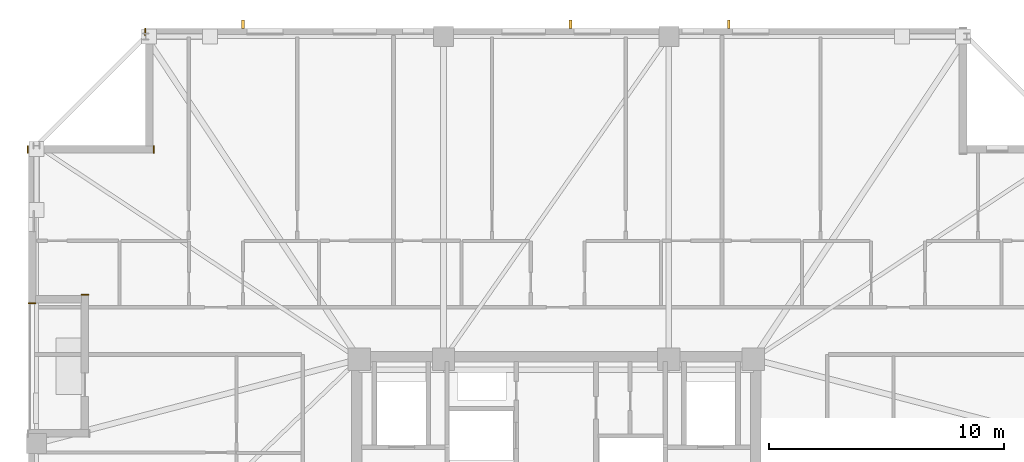
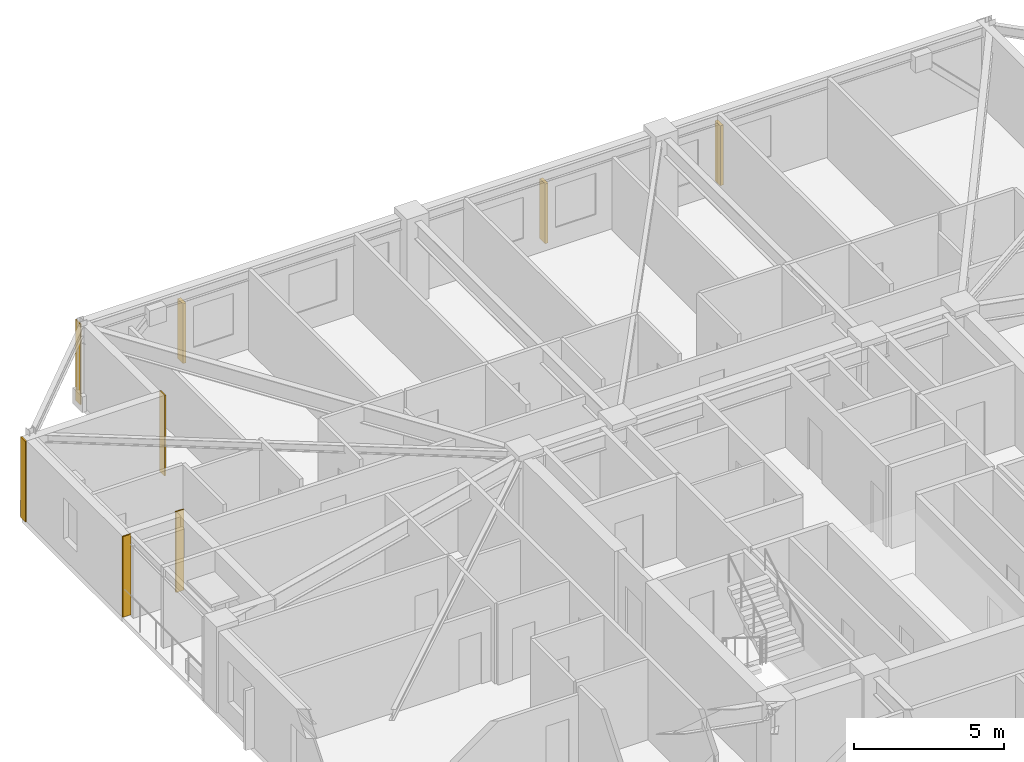
# One storey, part 16 of 17: 5 coverings, 3 shading devices.
"""IFC4 building model written with IfcOpenShell, lengths in metres."""

from ifc_helpers import new_model, si_unit, direction, frame, frame_2d, origin, origin_2d, place, context, subcontext, project, spatial, rectangle, extrude, material, layer, layer_set, type_object, element, save


model = new_model("IFC4")

# Units and contexts
model_context = context("Model", 3, precision=1e-05, world=origin(), true_north=direction((0.0, 1.0)))
body_context = subcontext(model_context, "Body", "Model", "MODEL_VIEW")
ifc_project = project(units=[si_unit("LENGTHUNIT", "METRE"), si_unit("AREAUNIT", "SQUARE_METRE"), si_unit("VOLUMEUNIT", "CUBIC_METRE"), si_unit("PLANEANGLEUNIT", "RADIAN"), si_unit("MASSUNIT", "GRAM", prefix="KILO")], contexts=[model_context])

# Site, building, storey
site_placement = place(None, origin())
site = spatial("IfcSite", under=ifc_project, at=site_placement, CompositionType="ELEMENT")
building_placement = place(site_placement, origin())
building = spatial("IfcBuilding", under=site, at=building_placement, Name="Cairnveth Concourse Tower", CompositionType="ELEMENT")
storey_placement = place(building_placement, frame((0.0, 0.0, 227.0)))
storey = spatial("IfcBuildingStorey", under=building, at=storey_placement, Name="L62", CompositionType="ELEMENT", Elevation=227.0)

# Coverings
ifc_material_1 = material(Name="Dressed Melbourne Bluestone Cladding", Category="masonry")
ifc_layer = layer(ifc_material_1, 0.050048828125)
ifc_layer_set = layer_set([ifc_layer], Name="Dressed Melbourne Bluestone Cladding")
covering_type = type_object("IfcCoveringType", Name="DRESSED BLUESTONE PLINTH CLADDING 50", PredefinedType="CLADDING", material=ifc_layer_set)
for number, where, z_axis, x_axis, name in (
    (1, (29.820068359375, 49.780029296875, 0.0), (0.0, 0.0, 1.0), (-1.0, 0.0, 0.0), "Melbourne Bluestone Corner Quoin L62-927"),
    (2, (29.47998046875, 56.179931640625, 0.0), (0.0, 0.0, 1.0), (0.0, 1.0, 0.0), "Melbourne Bluestone Corner Quoin L62-928"),
    (3, (34.840087890625, 56.179931640625, 0.0), (0.0, 0.0, 1.0), (0.0, 1.0, 0.0), "Melbourne Bluestone Corner Quoin L62-929"),
    (4, (34.47998046875, 61.179931640625, 0.0), (0.0, 0.0, 1.0), (0.0, 1.0, 0.0), "Melbourne Bluestone Corner Quoin L62-930"),
    (5, (32.070068359375, 50.139892578125, 0.0), (0.0, 0.0, 1.0), (-1.0, 0.0, 0.0), "Melbourne Bluestone Corner Quoin L62-942"),
):
    element("IfcCovering", number, at=place(storey_placement, frame(where, z_axis=z_axis, x_axis=x_axis)), inside=storey, type_object=covering_type, Name=name, PredefinedType="CLADDING", context=body_context, shape_type="SweptSolid", body=[
        extrude(rectangle(XDim=0.320068359375, YDim=0.050048828125, at=frame_2d((0.16015625, 0.0))), origin(), (0.0, 0.0, 1.0), 3.2900390625),
    ])

# Shading devices
ifc_material_2 = material(Name="Architectural Bronze Anodised Aluminium 6063-T6", Category="aluminium")
shading_device_type = type_object("IfcShadingDeviceType", Name="GOTHIC BRONZE VERTICAL LANCET FIN", PredefinedType="USERDEFINED", material=ifc_material_2)
for number, where, z_axis, x_axis, name in (
    (6, (38.652587890625, 61.675048828125, 0.030029296875), (0.0, 0.0, 1.0), (1.0, 0.0, 0.0), "Gothic Bronze Vertical Fin L62-3-1"),
    (7, (52.603515625, 61.675048828125, 0.030029296875), (0.0, 0.0, 1.0), (1.0, 0.0, 0.0), "Gothic Bronze Vertical Fin L62-3-5"),
    (8, (59.35400390625, 61.675048828125, 0.030029296875), (0.0, 0.0, 1.0), (1.0, 0.0, 0.0), "Gothic Bronze Vertical Fin L62-3-7"),
):
    element("IfcShadingDevice", number, at=place(storey_placement, frame(where, z_axis=z_axis, x_axis=x_axis)), inside=storey, type_object=shading_device_type, Name=name, ObjectType="VERTICAL FIN", PredefinedType="USERDEFINED", context=body_context, shape_type="SweptSolid", body=[
        extrude(rectangle(XDim=0.1201171875, YDim=0.360107421875, at=origin_2d()), origin(), (0.0, 0.0, 1.0), 2.43798828125),
    ])

save(model, "model.ifc")
